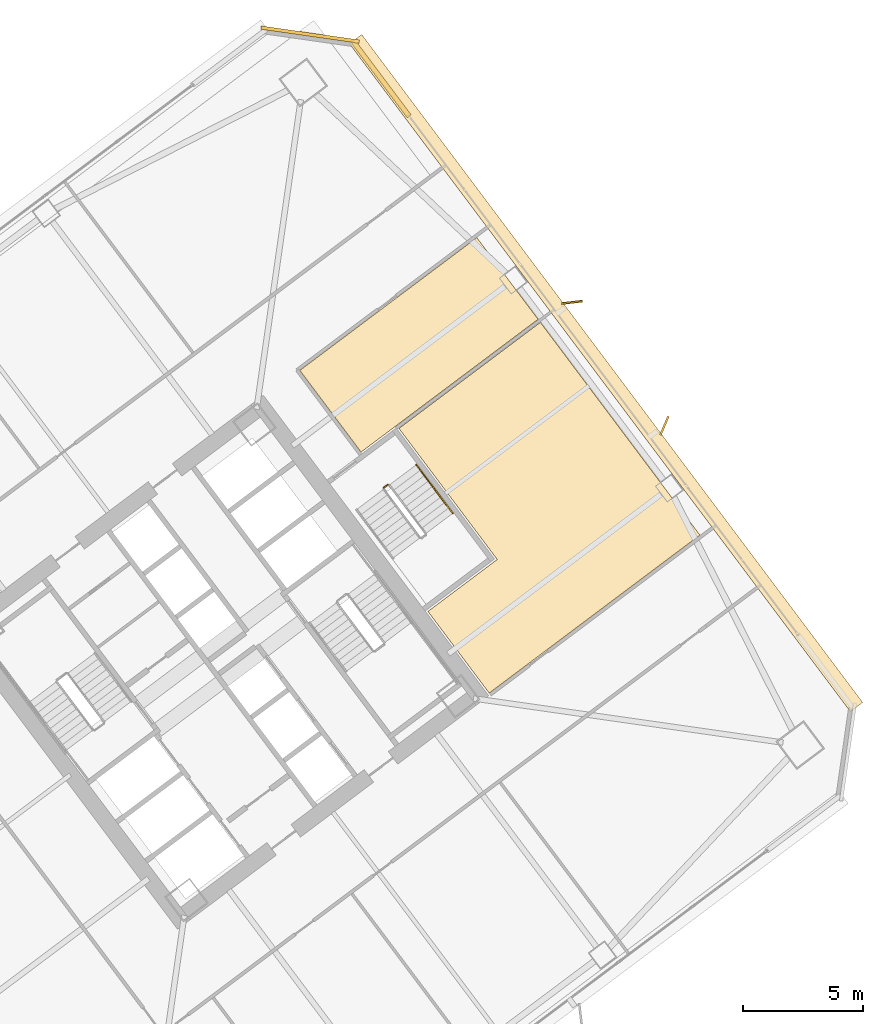
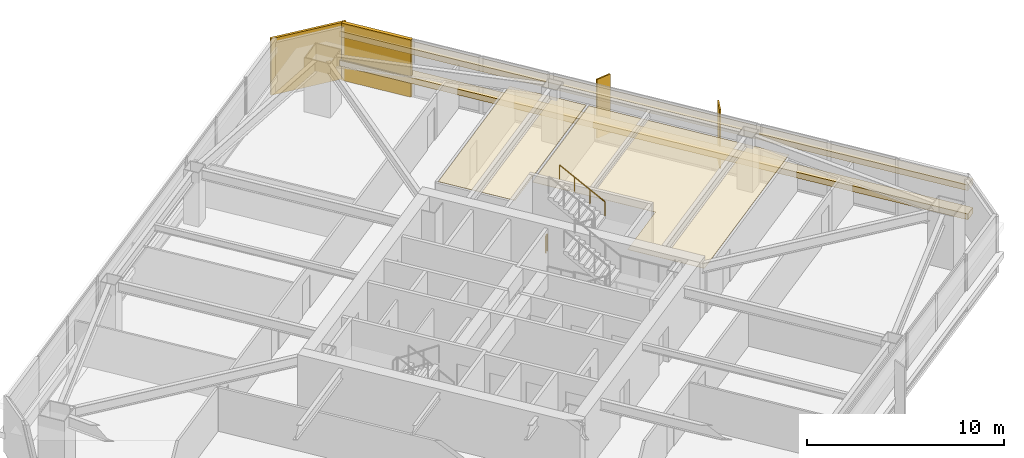
# One storey, part 49 of 49: 6 coverings, 2 railings, 2 shading devices.
"""IFC4 building model written with IfcOpenShell, lengths in metres."""

from ifc_helpers import new_model, si_unit, direction, frame, origin, origin_2d, place, context, subcontext, project, spatial, polyline, rectangle, outline, extrude, material, layer, layer_set, type_object, element, save


model = new_model("IFC4")

# Units and contexts
model_context = context("Model", 3, precision=1e-05, world=origin(), true_north=direction((0.0, 1.0)))
body_context = subcontext(model_context, "Body", "Model", "MODEL_VIEW")
ifc_project = project(units=[si_unit("LENGTHUNIT", "METRE"), si_unit("AREAUNIT", "SQUARE_METRE"), si_unit("VOLUMEUNIT", "CUBIC_METRE"), si_unit("PLANEANGLEUNIT", "RADIAN"), si_unit("MASSUNIT", "GRAM", prefix="KILO")], contexts=[model_context])

# Site, building, storey
site_placement = place(None, origin())
site = spatial("IfcSite", under=ifc_project, at=site_placement, CompositionType="ELEMENT")
building_placement = place(site_placement, origin())
building = spatial("IfcBuilding", under=site, at=building_placement, Name="Tashvorn Skyway Center", CompositionType="ELEMENT")
storey_placement = place(building_placement, frame((0.0, 0.0, 70.75)))
storey = spatial("IfcBuildingStorey", under=building, at=storey_placement, Name="L18", CompositionType="ELEMENT", Elevation=70.75)

# Coverings
ifc_material_1 = material(Name="Precast concrete C40/50", Category="concrete")
ifc_layer_1 = layer(ifc_material_1, 0.199951171875)
ifc_layer_set_1 = layer_set([ifc_layer_1], Name="Precast concrete C40/50")
covering_type_1 = type_object("IfcCoveringType", Name="COV-BRACE-CLAD", PredefinedType="CLADDING", material=ifc_layer_set_1)
covering_1_placement = place(storey_placement, frame((120.68798828125, 56.216064453125, 0.0), z_axis=(0.0, 0.0, 1.0), x_axis=(0.600000004945, -0.799999996291, 0.0)))
element("IfcCovering", 1, at=covering_1_placement, inside=storey, type_object=covering_type_1, Name="Tower 2 L18 East Unitised Curtain Wall Mega-Brace Cladding Band 1", PredefinedType="CLADDING", context=body_context, shape_type="SweptSolid", body=[
    extrude(rectangle(XDim=3.840087890625, YDim=0.199951171875, at=origin_2d()), origin(), (0.0, 0.0, 1.0), 3.550048828125),
])
ifc_material_2 = material(Name="Mineral-fibre acoustic ceiling tile on suspended grid")
ifc_layer_2 = layer(ifc_material_2, 0.02001953125)
ifc_layer_set_2 = layer_set([ifc_layer_2], Name="Mineral-fibre acoustic ceiling tile on suspended grid")
covering_type_2 = type_object("IfcCoveringType", Name="COV-CEIL-20", PredefinedType="CEILING", material=ifc_layer_set_2)
covering_2_placement = place(storey_placement, frame((0.0, 0.0, 2.68310546875)))
element("IfcCovering", 2, at=covering_2_placement, inside=storey, type_object=covering_type_2, Name="Tower 2 L18 Gallery Showroom Acoustic Ceiling", PredefinedType="CEILING", context=body_context, shape_type="SweptSolid", body=[
    extrude(outline(polyline([(119.840087890625, 40.72998046875), (117.2958984375, 44.1220703125), (124.64794921875, 49.635986328125), (127.19189453125, 46.243896484375), (119.840087890625, 40.72998046875)])), origin(), (0.0, 0.0, 1.0), 0.019775390625),
])
covering_3_placement = place(storey_placement, frame((0.0, 0.0, 2.68310546875)))
element("IfcCovering", 3, at=covering_3_placement, inside=storey, type_object=covering_type_2, Name="Tower 2 L18 Public Restroom Acoustic Ceiling", PredefinedType="CEILING", context=body_context, shape_type="SweptSolid", body=[
    extrude(outline(polyline([(125.159912109375, 30.719970703125), (122.615966796875, 34.112060546875), (125.49609375, 36.27197265625), (121.416015625, 41.7119140625), (127.2880859375, 46.115966796875), (131.367919921875, 40.676025390625), (133.912109375, 37.283935546875), (125.159912109375, 30.719970703125)])), origin(), (0.0, 0.0, 1.0), 0.019775390625),
])
ifc_material_3 = material(Name="Perforated ceramic-coated bronze aluminium solar screen", Category="aluminium")
ifc_layer_3 = layer(ifc_material_3, 0.85009765625)
ifc_layer_set_3 = layer_set([ifc_layer_3], Name="Perforated ceramic-coated bronze aluminium solar screen")
covering_type_3 = type_object("IfcCoveringType", Name="COV-SOLAR-BAND", PredefinedType="CLADDING", material=ifc_layer_set_3)
for number, where, z_axis, x_axis, name in (
    (4, (130.01611328125, 44.011962890625, 0.919921875), (0.0, 0.0, 1.0), (0.600000004945, -0.799999996291, 0.0), "L18 Perforated Ceramic-Metal Solar Screen Louvre Band East 1"),
    (5, (130.01611328125, 44.011962890625, 2.7197265625), (0.0, 0.0, 1.0), (0.600000004945, -0.799999996291, 0.0), "L18 Perforated Ceramic-Metal Solar Screen Louvre Band East 2"),
):
    element("IfcCovering", number, at=place(storey_placement, frame(where, z_axis=z_axis, x_axis=x_axis)), inside=storey, type_object=covering_type_3, Name=name, PredefinedType="CLADDING", context=body_context, shape_type="SweptSolid", body=[
        extrude(rectangle(XDim=34.679931640625, YDim=0.639892578125, at=origin_2d()), origin(), (0.0, 0.0, 1.0), 0.360107421875),
    ])
ifc_layer_4 = layer(ifc_material_1, 0.35009765625)
ifc_layer_set_4 = layer_set([ifc_layer_4], Name="Precast concrete C40/50")
covering_type_4 = type_object("IfcCoveringType", Name="COV-STONE-TRIM", PredefinedType="CLADDING", material=ifc_layer_set_4)
covering_4_placement = place(storey_placement, frame((117.72412109375, 58.068115234375, 0.02001953125), z_axis=(0.0, 0.0, 1.0), x_axis=(0.989949494535, -0.141421350118, 0.0)))
element("IfcCovering", 6, at=covering_4_placement, inside=storey, type_object=covering_type_4, Name="Tower 2 L18 NE Mojave Limestone Corner Quoin", PredefinedType="CLADDING", context=body_context, shape_type="SweptSolid", body=[
    extrude(rectangle(XDim=4.119873046875, YDim=0.139892578125, at=origin_2d()), origin(), (0.0, 0.0, 1.0), 3.510009765625),
])

# Railings
ifc_material_4 = material(Name="Brushed stainless steel 316", Category="steel")
railing_type_1 = type_object("IfcRailingType", Name="RAIL-HAND-920", PredefinedType="HANDRAIL", material=ifc_material_4)
railing_1_placement = place(storey_placement, frame((123.64794921875, 38.18603515625, 1.952392578125)))
element("IfcRailing", 7, at=railing_1_placement, inside=storey, type_object=railing_type_1, Name="L18 ST-T2-3 stair handrail 2", PredefinedType="HANDRAIL", context=body_context, shape_type="SweptSolid", body=[
    extrude(rectangle(XDim=0.048095703125, YDim=0.048095703125, at=origin_2d()), frame((0.0, 0.0, 0.8759765625), z_axis=(-0.50674661542, 0.675634878657, 0.535467439255), x_axis=(-0.79998837352, -0.60001550166, 0.0)), (0.0, 0.0, 1.0), 2.983642578125),
    extrude(rectangle(XDim=0.0419921875, YDim=0.0419921875, at=origin_2d()), origin(), (0.0, 0.0, 1.0), 0.851806640625),
    extrude(rectangle(XDim=0.0419921875, YDim=0.0419921875, at=origin_2d()), frame((-0.50390625, 0.671875, 0.532470703125)), (0.0, 0.0, 1.0), 0.851806640625),
    extrude(rectangle(XDim=0.0419921875, YDim=0.0419921875, at=origin_2d()), frame((-1.008056640625, 1.343994140625, 1.065185546875)), (0.0, 0.0, 1.0), 0.851806640625),
    extrude(rectangle(XDim=0.0419921875, YDim=0.0419921875, at=origin_2d()), frame((-1.511962890625, 2.015869140625, 1.59765625)), (0.0, 0.0, 1.0), 0.851806640625),
])
ifc_material_5 = material(Name="Painted galvanized steel S355", Category="steel")
railing_type_2 = type_object("IfcRailingType", Name="RAIL-STGUARD-1100", PredefinedType="GUARDRAIL", material=ifc_material_5)
railing_2_placement = place(storey_placement, frame((120.785888671875, 39.251953125, 0.0)))
element("IfcRailing", 8, at=railing_2_placement, inside=storey, type_object=railing_type_2, Name="L18 ST-T2-3 stair guard 4", PredefinedType="GUARDRAIL", context=body_context, shape_type="SweptSolid", body=[
    extrude(rectangle(XDim=0.048095703125, YDim=0.048095703125, at=origin_2d()), frame((0.0, 0.0, 1.076171875), z_axis=(0.8, 0.6, 0.0), x_axis=(-0.6, 0.8, 0.0)), (0.0, 0.0, 1.0), 0.2001953125),
    extrude(rectangle(XDim=0.0419921875, YDim=0.0419921875, at=origin_2d()), origin(), (0.0, 0.0, 1.0), 1.052001953125),
    extrude(rectangle(XDim=0.0419921875, YDim=0.0419921875, at=origin_2d()), frame((0.16015625, 0.1201171875, 0.0)), (0.0, 0.0, 1.0), 1.052001953125),
])

# Shading devices
ifc_layer_5 = layer(ifc_material_3, 0.06005859375)
ifc_layer_set_5 = layer_set([ifc_layer_5], Name="Perforated ceramic-coated bronze aluminium solar screen")
shading_device_type = type_object("IfcShadingDeviceType", Name="SHD-SOLAR-850", PredefinedType="USERDEFINED", material=ifc_layer_set_5)
for number, where, z_axis, x_axis, name in (
    (9, (132.43994140625, 41.830078125, -0.099853515625), (0.0, 0.0, 1.0), (0.919615244699, -0.392820317343, 0.0), "Tower 2 L18 Perforated Ceramic-Metal Solar Screen E1"),
    (10, (128.60009765625, 46.949951171875, -0.099853515625), (0.0, 0.0, 1.0), (0.119615248407, -0.992820322288, 0.0), "Tower 2 L18 Perforated Ceramic-Metal Solar Screen E2"),
):
    element("IfcShadingDevice", number, at=place(storey_placement, frame(where, z_axis=z_axis, x_axis=x_axis)), inside=storey, type_object=shading_device_type, Name=name, ObjectType="SCREEN", PredefinedType="USERDEFINED", context=body_context, shape_type="SweptSolid", body=[
        extrude(rectangle(XDim=0.080078125, YDim=0.85009765625, at=origin_2d()), origin(), (0.0, 0.0, 1.0), 3.64990234375),
    ])

save(model, "model.ifc")
